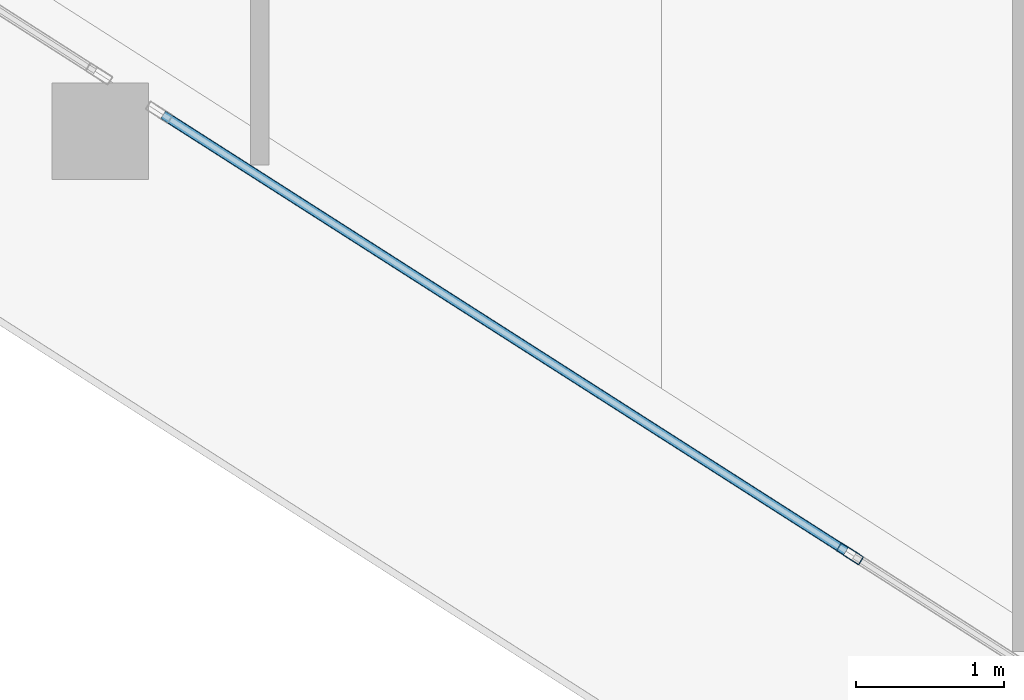
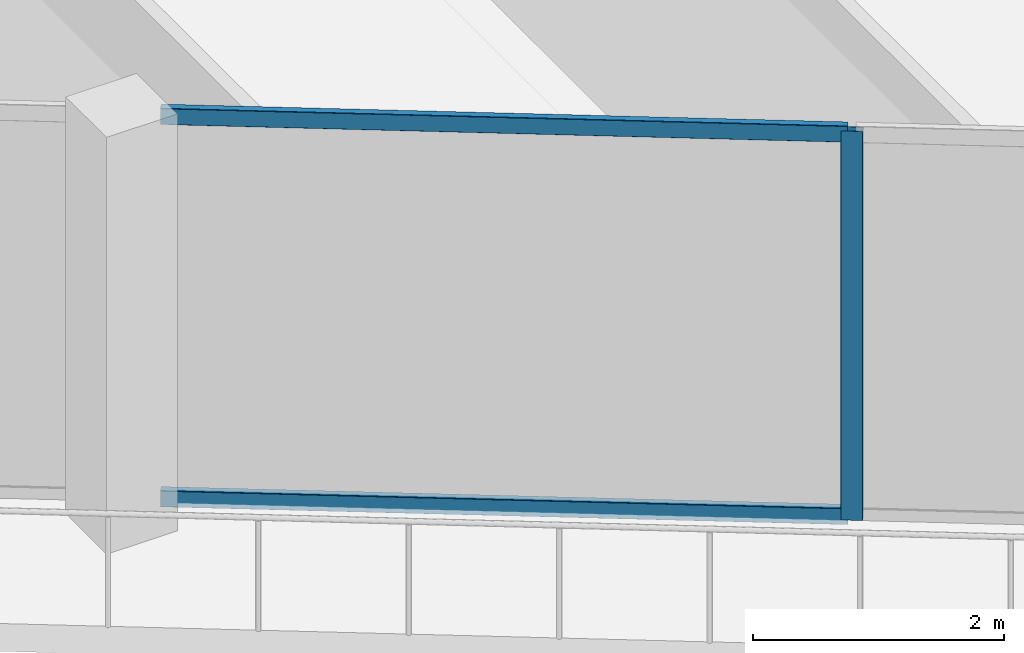
# One storey, part 2 of 37: 3 members, 1 element without a shape of its own.
"""IFC4 building model written with IfcOpenShell, lengths in metres."""

import ifcopenshell
import ifcopenshell.guid

model = None  # the IFC model being written
_history = None  # IfcOwnerHistory: only IFC2X3 demands one
_inside = {}  # id of a spatial element -> (the spatial element, [elements in it])
_under = {}  # id of a project, library or spatial element -> (it, [spatial elements below it])
_declared = {}  # id of a project -> (the project, [libraries it declares])
_typed = {}  # id of a type object -> (the type object, [elements of that type])
_made_of = {}  # id of a material, layer set ... -> (it, [elements and type objects made of it])


def new_model(schema):
    """Start an empty IFC model of exactly this schema.

    Asked for "IFC4X3", IfcOpenShell would pick the latest addendum, in which some entities
    have other attributes; the version numbers below select the first issue.
    IFC2X3 requires an IfcOwnerHistory on every rooted entity: one is made here for all.
    """
    global model, _history
    if schema == "IFC4X3":
        model = ifcopenshell.file(schema_version=(4, 3, 0, 0))
    else:
        model = ifcopenshell.file(schema=schema)
    _inside.clear()
    _under.clear()
    _declared.clear()
    _typed.clear()
    _made_of.clear()
    _history = None
    if model.schema == "IFC2X3":
        org = make("IfcOrganization", Name="unknown")
        user = make(
            "IfcPersonAndOrganization",
            ThePerson=make("IfcPerson", FamilyName="unknown"),
            TheOrganization=org,
        )
        app = make(
            "IfcApplication",
            ApplicationDeveloper=org,
            Version="unknown",
            ApplicationFullName="unknown",
            ApplicationIdentifier="unknown",
        )
        _history = make(
            "IfcOwnerHistory",
            OwningUser=user,
            OwningApplication=app,
            ChangeAction="ADDED",
            CreationDate=0,
        )
    return model


def make(cls, **values):
    """One entity of the class cls with the attributes given. An attribute that is None is left unset."""
    return model.create_entity(
        cls, **{name: value for name, value in values.items() if value is not None}
    )


def rooted(cls, **values):
    """An entity with a GlobalId (a new one), such as an element, a storey or a relation."""
    return make(cls, GlobalId=ifcopenshell.guid.new(), OwnerHistory=_history, **values)


def si_unit(unit_type, name, prefix=None):
    """IfcSIUnit, for example si_unit("LENGTHUNIT", "METRE", prefix="MILLI")."""
    return make("IfcSIUnit", UnitType=unit_type, Prefix=prefix, Name=name)


def assignment(units):
    """IfcUnitAssignment: the units of a project."""
    return None if units is None else make("IfcUnitAssignment", Units=units)


def point(xyz):
    """IfcCartesianPoint."""
    return None if xyz is None else make("IfcCartesianPoint", Coordinates=xyz)


def direction(xyz):
    """IfcDirection."""
    return None if xyz is None else make("IfcDirection", DirectionRatios=xyz)


def frame(location, z_axis=None, x_axis=None):
    """IfcAxis2Placement3D, a coordinate frame: its origin and axes. An axis left out is left unset."""
    return make(
        "IfcAxis2Placement3D",
        Location=point(location),
        Axis=direction(z_axis),
        RefDirection=direction(x_axis),
    )


def frame_2d(location, x_axis=None):
    """IfcAxis2Placement2D, a coordinate frame in the plane: its origin and x axis."""
    return make(
        "IfcAxis2Placement2D", Location=point(location), RefDirection=direction(x_axis)
    )


def origin():
    """The frame at (0, 0, 0) with its axes left unset."""
    return frame((0.0, 0.0, 0.0))


def origin_2d():
    """The frame at (0, 0) in the plane with its x axis left unset."""
    return frame_2d((0.0, 0.0))


def place(relative_to, where):
    """IfcLocalPlacement: puts the frame where relative to a parent placement (None: the world)."""
    return make(
        "IfcLocalPlacement", PlacementRelTo=relative_to, RelativePlacement=where
    )


def context(
    kind, dimensions, precision=None, world=None, true_north=None, identifier=None
):
    """IfcGeometricRepresentationContext, for example the 3D "Model" context."""
    return make(
        "IfcGeometricRepresentationContext",
        ContextIdentifier=identifier,
        ContextType=kind,
        CoordinateSpaceDimension=dimensions,
        Precision=precision,
        WorldCoordinateSystem=world,
        TrueNorth=true_north,
    )


def subcontext(parent, identifier, kind, view, scale=None):
    """IfcGeometricRepresentationSubContext, for example "Body" below "Model"."""
    return make(
        "IfcGeometricRepresentationSubContext",
        ContextIdentifier=identifier,
        ContextType=kind,
        ParentContext=parent,
        TargetScale=scale,
        TargetView=view,
    )


def project(units=None, contexts=None):
    """IfcProject with its units and contexts."""
    return rooted(
        "IfcProject",
        Name="project",
        RepresentationContexts=contexts,
        UnitsInContext=assignment(units),
    )


def spatial(cls, under=None, at=None, **own):
    """A site, building, storey or space (cls), placed at a placement, below another one or the project."""
    s = rooted(cls, ObjectPlacement=at, **own)
    if under is not None:
        _under.setdefault(under.id(), (under, []))[1].append(s)
    return s


def profile(cls, at=None, kind="AREA", **sizes):
    """A parametric profile (cls). Its sizes go by their IFC names, for example OverallWidth=200.0."""
    return make(cls, ProfileType=kind, Position=at, **sizes)


def hollow_rectangle(**sizes):
    """IfcRectangleHollowProfileDef."""
    return profile("IfcRectangleHollowProfileDef", **sizes)


def extrude(swept, where, along, depth):
    """IfcExtrudedAreaSolid: the profile swept, set in the frame where, extruded along a direction by depth."""
    return make(
        "IfcExtrudedAreaSolid",
        SweptArea=swept,
        Position=where,
        ExtrudedDirection=direction(along),
        Depth=depth,
    )


def shape(context_of_items, identifier, shape_type, items):
    """IfcShapeRepresentation: the items that make up one representation, for example the "Body"."""
    return make(
        "IfcShapeRepresentation",
        ContextOfItems=context_of_items,
        RepresentationIdentifier=identifier,
        RepresentationType=shape_type,
        Items=items,
    )


def material(Name=None, Category=None):
    """IfcMaterial."""
    return make("IfcMaterial", Name=Name, Category=Category)


def layer(
    of_material, thickness, ventilated=None, Name=None, Category=None, Priority=None
):
    """IfcMaterialLayer: one layer of a wall or slab, of a material (None: an air gap)."""
    return make(
        "IfcMaterialLayer",
        Material=of_material,
        LayerThickness=thickness,
        IsVentilated=ventilated,
        Name=Name,
        Category=Category,
        Priority=Priority,
    )


def layer_set(layers, Name=None):
    """IfcMaterialLayerSet."""
    return make("IfcMaterialLayerSet", MaterialLayers=layers, LayerSetName=Name)


def material_profile(
    of_material, cross_section, Name=None, Category=None, Priority=None
):
    """IfcMaterialProfile: a cross section and its material."""
    return make(
        "IfcMaterialProfile",
        Name=Name,
        Material=of_material,
        Profile=cross_section,
        Priority=Priority,
        Category=Category,
    )


def profile_set(profiles, Name=None, composite=None):
    """IfcMaterialProfileSet."""
    return make(
        "IfcMaterialProfileSet",
        Name=Name,
        MaterialProfiles=profiles,
        CompositeProfile=composite,
    )


def made_of(thing, what):
    """Note that an element or type object is made of a material, layer set ...; save() writes the relation."""
    if what is not None:
        _made_of.setdefault(what.id(), (what, []))[1].append(thing)
    return thing


def type_object(cls, material=None, **own):
    """A type object (cls), such as IfcWallType, which elements share."""
    return made_of(rooted(cls, **own), material)


def element(
    cls,
    number,
    at=None,
    inside=None,
    cuts=None,
    type_object=None,
    material=None,
    context=None,
    identifier="Body",
    shape_type=None,
    held_by="IfcProductDefinitionShape",
    body=None,
    shapes=None,
    **own,
):
    """One element of the class cls, such as IfcWall. Its Tag is "e" and its number.

    at: its placement. inside: the storey or other place that contains it. cuts: it is an
    opening in that element (IfcRelVoidsElement). A single representation is given by context,
    identifier, shape_type and body (its items); several are given by shapes. held_by: the class
    of the entity that holds the representations. save() writes the other relations.
    """
    e = rooted(cls, Tag="e%d" % number, ObjectPlacement=at, **own)
    if body is not None:
        shapes = [shape(context, identifier, shape_type, body)]
    if shapes is not None:
        e.Representation = make(held_by, Representations=shapes)
    if inside is not None:
        _inside.setdefault(inside.id(), (inside, []))[1].append(e)
    if cuts is not None:
        rooted(
            "IfcRelVoidsElement", RelatingBuildingElement=cuts, RelatedOpeningElement=e
        )
    if type_object is not None:
        _typed.setdefault(type_object.id(), (type_object, []))[1].append(e)
    return made_of(e, material)


def aggregate(whole, parts):
    """IfcRelAggregates: a whole, such as a stair, and the parts it consists of."""
    return rooted("IfcRelAggregates", RelatingObject=whole, RelatedObjects=parts)


def save(model, path):
    """Write the relations noted so far, then the file.

    IfcRelAggregates (storeys below a building ...), IfcRelContainedInSpatialStructure (elements
    in a storey), IfcRelDefinesByType, IfcRelAssociatesMaterial and IfcRelDeclares: one each for
    every whole, place, type object, material and project.
    """
    for whole, parts in _under.values():
        aggregate(whole, parts)
    for where, things in _inside.values():
        rooted(
            "IfcRelContainedInSpatialStructure",
            RelatedElements=things,
            RelatingStructure=where,
        )
    for kind, things in _typed.values():
        rooted("IfcRelDefinesByType", RelatedObjects=things, RelatingType=kind)
    for what, things in _made_of.values():
        rooted("IfcRelAssociatesMaterial", RelatedObjects=things, RelatingMaterial=what)
    for by, libraries in _declared.values():
        rooted("IfcRelDeclares", RelatingContext=by, RelatedDefinitions=libraries)
    model.write(path)


model = new_model("IFC4")

# Units and contexts
model_context = context("Model", 3, precision=1e-05, world=origin(), true_north=direction((0.0, 1.0)))
body_context = subcontext(model_context, "Body", "Model", "MODEL_VIEW")
ifc_project = project(units=[si_unit("LENGTHUNIT", "METRE"), si_unit("AREAUNIT", "SQUARE_METRE"), si_unit("VOLUMEUNIT", "CUBIC_METRE"), si_unit("PLANEANGLEUNIT", "RADIAN"), si_unit("MASSUNIT", "GRAM", prefix="KILO")], contexts=[model_context])

# Site, building, storey
site_placement = place(None, origin())
site = spatial("IfcSite", under=ifc_project, at=site_placement, CompositionType="ELEMENT")
building_placement = place(site_placement, origin())
building = spatial("IfcBuilding", under=site, at=building_placement, Name="Qorvath Tower", CompositionType="ELEMENT")
storey_placement = place(building_placement, frame((0.0, 0.0, 184.800048828125)))
storey = spatial("IfcBuildingStorey", under=building, at=storey_placement, Name="L42", CompositionType="ELEMENT", Elevation=184.800048828125)

# Curtain wall, members
ifc_material_1 = material(Name="Anodised aluminium and triple low-E glass", Category="aluminium")
ifc_layer = layer(ifc_material_1, 0.179931640625)
ifc_layer_set = layer_set([ifc_layer], Name="CW-SYS-3")
curtain_wall_type = type_object("IfcCurtainWallType", Name="CW-SYS-3", PredefinedType="NOTDEFINED", material=ifc_layer_set)
curtain_wall_placement = place(storey_placement, origin())
curtain_wall = element("IfcCurtainWall", 1, at=curtain_wall_placement, inside=storey, type_object=curtain_wall_type, Name="Curtain Wall CW-3 CW-T-L42-2.2", PredefinedType="NOTDEFINED")
ifc_material_2 = material(Name="Anodised aluminium 6063-T6", Category="aluminium")
ifc_material_profile_1 = material_profile(ifc_material_2, hollow_rectangle(XDim=0.06494140625, YDim=0.179931640625, WallThickness=0.00341796875, InnerFilletRadius=0.00341796875, OuterFilletRadius=0.007080078125, at=origin_2d()), Name="CWM 180x65")
ifc_profile_set_1 = profile_set([ifc_material_profile_1], Name="Anodised aluminium 6063-T6")
member_type_1 = type_object("IfcMemberType", Name="CWM-180", PredefinedType="MULLION", material=ifc_profile_set_1)
member_1_placement = place(storey_placement, frame((-25.951171875, -22.315185546875, 0.0), z_axis=(0.0, 0.0, 1.0), x_axis=(0.538531234683, 0.842605547852, 0.0)))
member_1 = element("IfcMember", 2, at=member_1_placement, type_object=member_type_1, Name="CW-3 mullion 2", PredefinedType="MULLION", context=body_context, shape_type="SweptSolid", body=[
    extrude(hollow_rectangle(XDim=0.06494140625, YDim=0.179931640625, WallThickness=0.00341796875, InnerFilletRadius=0.00341796875, OuterFilletRadius=0.007080078125, at=origin_2d()), origin(), (0.0, 0.0, 1.0), 3.780029296875),
])
ifc_material_3 = material(Name="Anodised aluminium 6063-T6", Category="aluminium")
ifc_material_profile_2 = material_profile(ifc_material_3, hollow_rectangle(XDim=0.06494140625, YDim=0.159912109375, WallThickness=0.00341796875, InnerFilletRadius=0.00341796875, OuterFilletRadius=0.007080078125, at=origin_2d()), Name="CWT 160x65")
ifc_profile_set_2 = profile_set([ifc_material_profile_2], Name="Anodised aluminium 6063-T6")
member_type_2 = type_object("IfcMemberType", Name="CWT-160", PredefinedType="USERDEFINED", material=ifc_profile_set_2)
member_2_placement = place(storey_placement, frame((-30.59130859375, -19.349609375, 0.032470703125), z_axis=(0.842618688669, -0.53851067353, 0.0), x_axis=(0.53851067353, 0.842618688669, 0.0)))
member_2 = element("IfcMember", 3, at=member_2_placement, type_object=member_type_2, Name="CW-3 transom 1.1", ObjectType="TRANSOM", PredefinedType="USERDEFINED", context=body_context, shape_type="SweptSolid", body=[
    extrude(hollow_rectangle(XDim=0.06494140625, YDim=0.159912109375, WallThickness=0.00341796875, InnerFilletRadius=0.00341796875, OuterFilletRadius=0.007080078125, at=origin_2d()), origin(), (0.0, 0.0, 1.0), 5.474365234375),
])
member_3_placement = place(storey_placement, frame((-30.59130859375, -19.349609375, 3.74755859375), z_axis=(0.842618688669, -0.53851067353, 0.0), x_axis=(0.53851067353, 0.842618688669, 0.0)))
member_3 = element("IfcMember", 4, at=member_3_placement, type_object=member_type_2, Name="CW-3 transom 1.2", ObjectType="TRANSOM", PredefinedType="USERDEFINED", context=body_context, shape_type="SweptSolid", body=[
    extrude(hollow_rectangle(XDim=0.06494140625, YDim=0.159912109375, WallThickness=0.00341796875, InnerFilletRadius=0.00341796875, OuterFilletRadius=0.007080078125, at=origin_2d()), origin(), (0.0, 0.0, 1.0), 5.474365234375),
])
aggregate(curtain_wall, [member_1, member_2, member_3])

save(model, "model.ifc")
